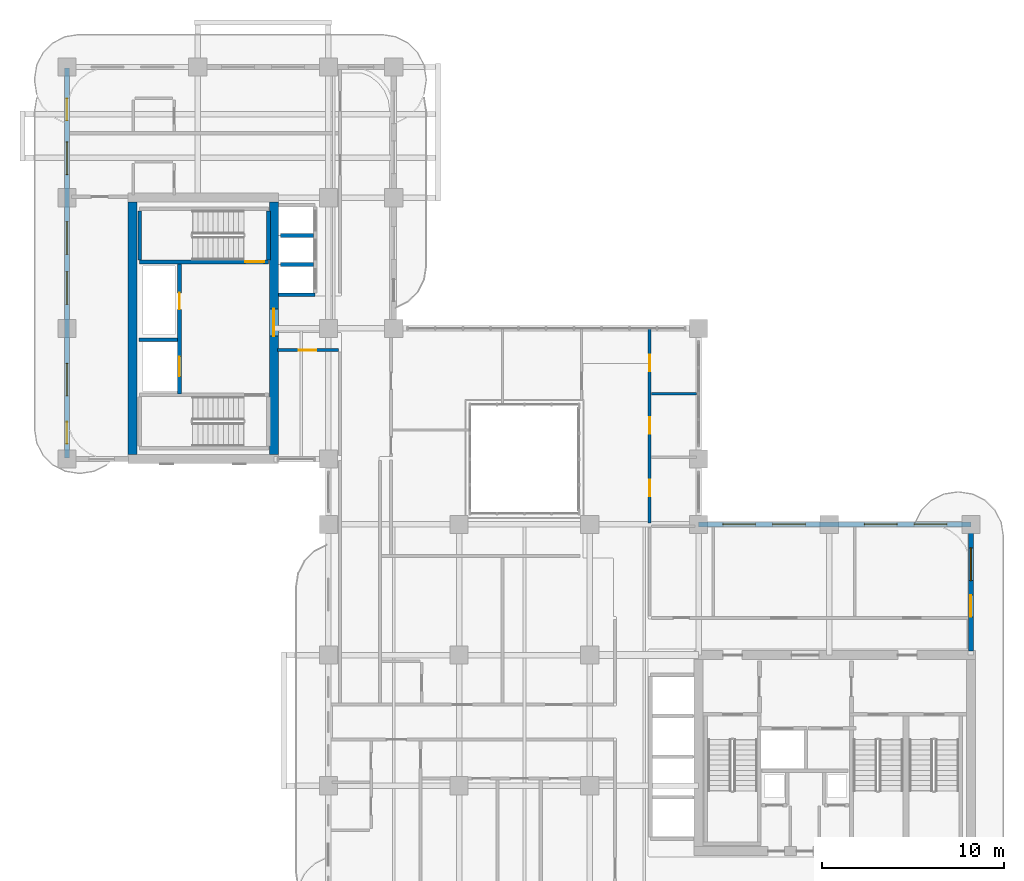
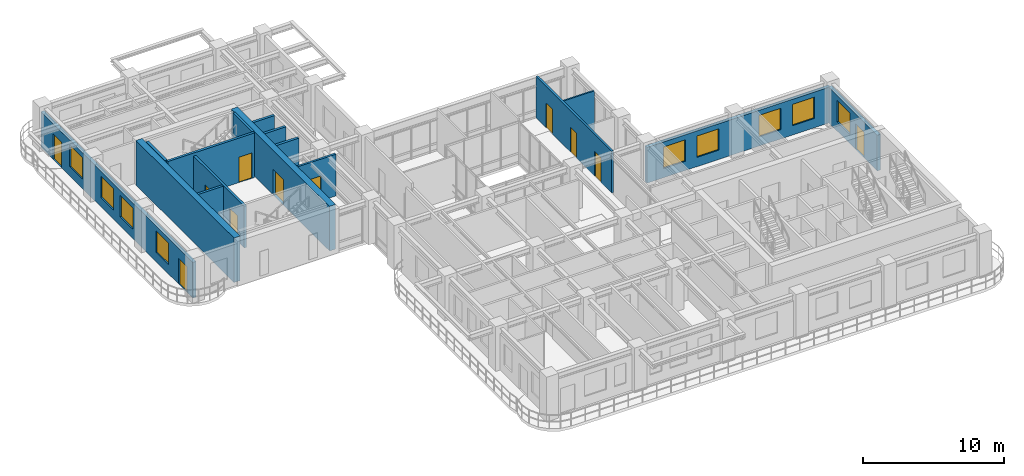
# One storey, part 14 of 20: 16 walls, 11 doors, 9 windows, 20 openings.
"""IFC4 building model written with IfcOpenShell, lengths in metres."""

from ifc_helpers import new_model, si_unit, derived_unit, direction, frame, frame_2d, origin, place, context, subcontext, project, spatial, rectangle, extrude, source, transform, mapped, material, layer, layer_set, type_object, type_shapes, element, fill, save


model = new_model("IFC4")

# Units and contexts
model_context = context("Model", 3, precision=1e-05, world=origin(), true_north=direction((0.0, 1.0)))
body_context = subcontext(model_context, "Body", "Model", "MODEL_VIEW")
ifc_project = project(units=[si_unit("LENGTHUNIT", "METRE"), si_unit("AREAUNIT", "SQUARE_METRE"), si_unit("VOLUMEUNIT", "CUBIC_METRE"), si_unit("PLANEANGLEUNIT", "RADIAN"), si_unit("MASSUNIT", "GRAM", prefix="KILO"), si_unit("THERMODYNAMICTEMPERATUREUNIT", "KELVIN"), si_unit("POWERUNIT", "WATT"), derived_unit("THERMALTRANSMITTANCEUNIT", [(si_unit("POWERUNIT", "WATT"), 1), (si_unit("AREAUNIT", "SQUARE_METRE"), -1), (si_unit("THERMODYNAMICTEMPERATUREUNIT", "KELVIN"), -1)])], contexts=[model_context])

# Site, building, storey
site_placement = place(None, origin())
site = spatial("IfcSite", under=ifc_project, at=site_placement, CompositionType="ELEMENT")
building_placement = place(site_placement, origin())
building = spatial("IfcBuilding", under=site, at=building_placement, Name="Zahravan Archway Hotel and Residences", CompositionType="ELEMENT")
storey_placement = place(building_placement, frame((0.0, 0.0, 173.39990234375)))
storey = spatial("IfcBuildingStorey", under=building, at=storey_placement, Name="L43", CompositionType="ELEMENT", Elevation=173.39990234375)

# Wall
ifc_material_1 = material(Name="Concrete C60/75", Category="concrete")
ifc_layer_1 = layer(ifc_material_1, 0.5, Name="Concrete C60/75", Category="concrete")
ifc_layer_set_1 = layer_set([ifc_layer_1], Name="Concrete C60/75")
wall_type_1 = type_object("IfcWallType", Name="CW-CORE-500", PredefinedType="SHEAR", material=ifc_layer_set_1)
wall_1_placement = place(storey_placement, frame((3.60009765625, 25.449951171875, 0.0), z_axis=(0.0, 0.0, 1.0), x_axis=(0.0, 1.0, 0.0)))
element("IfcWall", 1, at=wall_1_placement, inside=storey, type_object=wall_type_1, Name="L43 Core B Shear W Wall 500 mm", PredefinedType="SHEAR", context=body_context, shape_type="SweptSolid", body=[
    extrude(rectangle(XDim=13.900146484375, YDim=0.5, at=frame_2d((6.9501953125, 0.0))), origin(), (0.0, 0.0, 1.0), 3.85009765625),
])

# Wall, opening, door
wall_2_placement = place(storey_placement, frame((11.39990234375, 25.449951171875, 0.0), z_axis=(0.0, 0.0, 1.0), x_axis=(0.0, 1.0, 0.0)))
wall_2 = element("IfcWall", 2, at=wall_2_placement, inside=storey, type_object=wall_type_1, Name="L43 Core B Shear E Wall 500 mm", PredefinedType="SHEAR", context=body_context, shape_type="SweptSolid", body=[
    extrude(rectangle(XDim=13.900146484375, YDim=0.5, at=frame_2d((6.9501953125, 0.0))), origin(), (0.0, 0.0, 1.0), 3.85009765625),
])
opening_1_placement = place(wall_2_placement, frame((6.52001953125, 0.0, 0.0)))
opening_1 = element("IfcOpeningElement", 3, at=opening_1_placement, cuts=wall_2, Name="Opening FD-L1", PredefinedType="OPENING", context=body_context, shape_type="SweptSolid", body=[
    extrude(rectangle(XDim=1.5, YDim=2.199951171875, at=frame_2d((0.75, 1.10009765625))), frame((0.0, 0.260009765625, 0.0), z_axis=(0.0, -1.0, 0.0), x_axis=(1.0, 0.0, 0.0)), (0.0, 0.0, 1.0), 0.52001953125),
])
ifc_material_2 = material(Name="Fire-Rated Painted Steel", Category="steel")
door_type_1 = type_object("IfcDoorType", Name="FD-LOBBY-1500", OperationType="DOUBLE_DOOR_SINGLE_SWING", PredefinedType="DOOR", material=ifc_material_2)
shared_shape_1 = source(origin(), body_context, "Body", "SweptSolid", [
    extrude(rectangle(XDim=1.5, YDim=2.199951171875, at=frame_2d((0.75, 1.10009765625))), frame((0.0, 0.02490234375, 0.0), z_axis=(0.0, -1.0, 0.0), x_axis=(1.0, 0.0, 0.0)), (0.0, 0.0, 1.0), 0.050048828125),
])
type_shapes(door_type_1, [shared_shape_1])
door_1_placement = place(opening_1_placement, origin())
door_1 = element("IfcDoor", 4, at=door_1_placement, inside=storey, type_object=door_type_1, Name="L43 Core B FSAE Lobby Door", OperationType="DOUBLE_DOOR_SINGLE_SWING", OverallHeight=2.199951171875, OverallWidth=1.5, PredefinedType="DOOR", context=body_context, shape_type="MappedRepresentation", body=[
    mapped(shared_shape_1, transform((0.0, 0.0, 0.0), scale=1.0)),
])
fill(opening_1, door_1)

# Wall, openings, door, window
ifc_material_3 = material(Name="Honed Red-Ochre Sandstone & Insulated Block", Category="masonry")
ifc_layer_2 = layer(ifc_material_3, 0.280029296875, Name="Honed Red-Ochre Sandstone & Insulated Block", Category="masonry")
ifc_layer_set_2 = layer_set([ifc_layer_2], Name="Honed Red-Ochre Sandstone & Insulated Block")
wall_type_2 = type_object("IfcWallType", Name="EW-LOG-280", PredefinedType="SOLIDWALL", material=ifc_layer_set_2)
wall_3_placement = place(storey_placement, frame((49.800048828125, 14.6201171875, 0.0), z_axis=(0.0, 0.0, 1.0), x_axis=(0.0, 1.0, 0.0)))
wall_3 = element("IfcWall", 5, at=wall_3_placement, inside=storey, type_object=wall_type_2, Name="L43 Exterior Sandstone Wall WA-EN", PredefinedType="SOLIDWALL", context=body_context, shape_type="SweptSolid", body=[
    extrude(rectangle(XDim=6.929931640625, YDim=0.280029296875, at=frame_2d((3.46484375, 0.0))), origin(), (0.0, 0.0, 1.0), 3.085205078125),
])
opening_2_placement = place(wall_3_placement, frame((1.888916015625, 0.0, 0.0)))
opening_2 = element("IfcOpeningElement", 6, at=opening_2_placement, cuts=wall_3, Name="Opening ED-BL1", PredefinedType="OPENING", context=body_context, shape_type="SweptSolid", body=[
    extrude(rectangle(XDim=1.199951171875, YDim=2.199951171875, at=frame_2d((0.60009765625, 1.10009765625))), frame((0.0, 0.14990234375, 0.0), z_axis=(0.0, -1.0, 0.0), x_axis=(1.0, 0.0, 0.0)), (0.0, 0.0, 1.0), 0.300048828125),
])
opening_3_placement = place(wall_3_placement, frame((3.884033203125, 0.0, 0.800048828125)))
opening_3 = element("IfcOpeningElement", 7, at=opening_3_placement, cuts=wall_3, Name="Opening W-02", PredefinedType="OPENING", context=body_context, shape_type="SweptSolid", body=[
    extrude(rectangle(XDim=1.800048828125, YDim=1.85009765625, at=frame_2d((0.89990234375, 0.925048828125))), frame((0.0, 0.14990234375, 0.0), z_axis=(0.0, -1.0, 0.0), x_axis=(1.0, 0.0, 0.0)), (0.0, 0.0, 1.0), 0.300048828125),
])
ifc_material_4 = material(Name="Bronze-Anodized Glazed Aluminium", Category="aluminium")
door_type_2 = type_object("IfcDoorType", Name="ED-BALC-1200", OperationType="SLIDING_TO_LEFT", PredefinedType="DOOR", material=ifc_material_4)
shared_shape_2 = source(origin(), body_context, "Body", "SweptSolid", [
    extrude(rectangle(XDim=1.199951171875, YDim=2.199951171875, at=frame_2d((0.60009765625, 1.10009765625))), frame((0.0, 0.02490234375, 0.0), z_axis=(0.0, -1.0, 0.0), x_axis=(1.0, 0.0, 0.0)), (0.0, 0.0, 1.0), 0.050048828125),
])
type_shapes(door_type_2, [shared_shape_2])
door_2_placement = place(opening_2_placement, origin())
door_2 = element("IfcDoor", 8, at=door_2_placement, inside=storey, type_object=door_type_2, Name="L43 Outdoor Access Sliding Door (SLB-BAL-L43-EA)", OperationType="SLIDING_TO_LEFT", OverallHeight=2.199951171875, OverallWidth=1.199951171875, PredefinedType="DOOR", context=body_context, shape_type="MappedRepresentation", body=[
    mapped(shared_shape_2, transform((0.0, 0.0, 0.0), scale=1.0)),
])
fill(opening_2, door_2)
ifc_material_5 = material(Name="Bronze-Anodized Thermal-Break Aluminium & Low-E Glass", Category="aluminium")
window_type = type_object("IfcWindowType", Name="WIN-TWR-1800", PartitioningType="DOUBLE_PANEL_VERTICAL", PredefinedType="WINDOW", material=ifc_material_5)
shared_shape_3 = source(origin(), body_context, "Body", "SweptSolid", [
    extrude(rectangle(XDim=1.800048828125, YDim=1.85009765625, at=frame_2d((0.89990234375, 0.925048828125))), frame((0.0, 0.030029296875, 0.0), z_axis=(0.0, -1.0, 0.0), x_axis=(1.0, 0.0, 0.0)), (0.0, 0.0, 1.0), 0.06005859375),
])
type_shapes(window_type, [shared_shape_3])
window_1_placement = place(opening_3_placement, origin())
window_1 = element("IfcWindow", 9, at=window_1_placement, inside=storey, type_object=window_type, Name="L43 Loggia Window 11", OverallHeight=1.85009765625, OverallWidth=1.800048828125, PartitioningType="DOUBLE_PANEL_VERTICAL", PredefinedType="WINDOW", context=body_context, shape_type="MappedRepresentation", body=[
    mapped(shared_shape_3, transform((0.0, 0.0, 0.0), scale=1.0)),
])
fill(opening_3, window_1)

# Wall, openings, windows
wall_4_placement = place(storey_placement, frame((34.800048828125, 21.60009765625, 0.0), z_axis=(0.0, 0.0, 1.0), x_axis=(1.0, 0.0, 0.0)))
wall_4 = element("IfcWall", 10, at=wall_4_placement, inside=storey, type_object=wall_type_2, Name="L43 Exterior Sandstone Wall WA-NE", PredefinedType="SOLIDWALL", context=body_context, shape_type="SweptSolid", body=[
    extrude(rectangle(XDim=15.0, YDim=0.280029296875, at=frame_2d((7.5, 0.0))), origin(), (0.0, 0.0, 1.0), 3.085205078125),
])
opening_4_placement = place(wall_4_placement, frame((1.3310546875, 0.0, 0.800048828125)))
opening_4 = element("IfcOpeningElement", 11, at=opening_4_placement, cuts=wall_4, Name="Opening W-02", PredefinedType="OPENING", context=body_context, shape_type="SweptSolid", body=[
    extrude(rectangle(XDim=1.800048828125, YDim=1.85009765625, at=frame_2d((0.89990234375, 0.925048828125))), frame((0.0, 0.14990234375, 0.0), z_axis=(0.0, -1.0, 0.0), x_axis=(1.0, 0.0, 0.0)), (0.0, 0.0, 1.0), 0.300048828125),
])
opening_5_placement = place(wall_4_placement, frame((4.076904296875, 0.0, 0.800048828125)))
opening_5 = element("IfcOpeningElement", 12, at=opening_5_placement, cuts=wall_4, Name="Opening W-02", PredefinedType="OPENING", context=body_context, shape_type="SweptSolid", body=[
    extrude(rectangle(XDim=1.800048828125, YDim=1.85009765625, at=frame_2d((0.89990234375, 0.925048828125))), frame((0.0, 0.14990234375, 0.0), z_axis=(0.0, -1.0, 0.0), x_axis=(1.0, 0.0, 0.0)), (0.0, 0.0, 1.0), 0.300048828125),
])
opening_6_placement = place(wall_4_placement, frame((9.131103515625, 0.0, 0.800048828125)))
opening_6 = element("IfcOpeningElement", 13, at=opening_6_placement, cuts=wall_4, Name="Opening W-02", PredefinedType="OPENING", context=body_context, shape_type="SweptSolid", body=[
    extrude(rectangle(XDim=1.800048828125, YDim=1.85009765625, at=frame_2d((0.89990234375, 0.925048828125))), frame((0.0, 0.14990234375, 0.0), z_axis=(0.0, -1.0, 0.0), x_axis=(1.0, 0.0, 0.0)), (0.0, 0.0, 1.0), 0.300048828125),
])
opening_7_placement = place(wall_4_placement, frame((11.876953125, 0.0, 0.800048828125)))
opening_7 = element("IfcOpeningElement", 14, at=opening_7_placement, cuts=wall_4, Name="Opening W-02", PredefinedType="OPENING", context=body_context, shape_type="SweptSolid", body=[
    extrude(rectangle(XDim=1.800048828125, YDim=1.85009765625, at=frame_2d((0.89990234375, 0.925048828125))), frame((0.0, 0.14990234375, 0.0), z_axis=(0.0, -1.0, 0.0), x_axis=(1.0, 0.0, 0.0)), (0.0, 0.0, 1.0), 0.300048828125),
])
window_2_placement = place(opening_4_placement, origin())
window_2 = element("IfcWindow", 15, at=window_2_placement, inside=storey, type_object=window_type, Name="L43 Loggia Window 12", OverallHeight=1.85009765625, OverallWidth=1.800048828125, PartitioningType="DOUBLE_PANEL_VERTICAL", PredefinedType="WINDOW", context=body_context, shape_type="MappedRepresentation", body=[
    mapped(shared_shape_3, transform((0.0, 0.0, 0.0), scale=1.0)),
])
fill(opening_4, window_2)
window_3_placement = place(opening_5_placement, origin())
window_3 = element("IfcWindow", 16, at=window_3_placement, inside=storey, type_object=window_type, Name="L43 Loggia Window 13", OverallHeight=1.85009765625, OverallWidth=1.800048828125, PartitioningType="DOUBLE_PANEL_VERTICAL", PredefinedType="WINDOW", context=body_context, shape_type="MappedRepresentation", body=[
    mapped(shared_shape_3, transform((0.0, 0.0, 0.0), scale=1.0)),
])
fill(opening_5, window_3)
window_4_placement = place(opening_6_placement, origin())
window_4 = element("IfcWindow", 17, at=window_4_placement, inside=storey, type_object=window_type, Name="L43 Loggia Window 14", OverallHeight=1.85009765625, OverallWidth=1.800048828125, PartitioningType="DOUBLE_PANEL_VERTICAL", PredefinedType="WINDOW", context=body_context, shape_type="MappedRepresentation", body=[
    mapped(shared_shape_3, transform((0.0, 0.0, 0.0), scale=1.0)),
])
fill(opening_6, window_4)
window_5_placement = place(opening_7_placement, origin())
window_5 = element("IfcWindow", 18, at=window_5_placement, inside=storey, type_object=window_type, Name="L43 Loggia Window 15", OverallHeight=1.85009765625, OverallWidth=1.800048828125, PartitioningType="DOUBLE_PANEL_VERTICAL", PredefinedType="WINDOW", context=body_context, shape_type="MappedRepresentation", body=[
    mapped(shared_shape_3, transform((0.0, 0.0, 0.0), scale=1.0)),
])
fill(opening_7, window_5)

# Wall, openings, doors, windows
wall_5_placement = place(storey_placement, frame((0.0, 25.25, 0.0), z_axis=(0.0, 0.0, 1.0), x_axis=(0.0, 1.0, 0.0)))
wall_5 = element("IfcWall", 19, at=wall_5_placement, inside=storey, type_object=wall_type_2, Name="L43 Exterior Sandstone Wall WB-W", PredefinedType="SOLIDWALL", context=body_context, shape_type="SweptSolid", body=[
    extrude(rectangle(XDim=21.5, YDim=0.280029296875, at=frame_2d((10.75, 0.0))), origin(), (0.0, 0.0, 1.0), 3.085205078125),
])
opening_8_placement = place(wall_5_placement, frame((18.60693359375, 0.0, 0.0)))
opening_8 = element("IfcOpeningElement", 20, at=opening_8_placement, cuts=wall_5, Name="Opening ED-BL1", PredefinedType="OPENING", context=body_context, shape_type="SweptSolid", body=[
    extrude(rectangle(XDim=1.199951171875, YDim=2.199951171875, at=frame_2d((0.60009765625, 1.10009765625))), frame((0.0, 0.14990234375, 0.0), z_axis=(0.0, -1.0, 0.0), x_axis=(1.0, 0.0, 0.0)), (0.0, 0.0, 1.0), 0.300048828125),
])
opening_9_placement = place(wall_5_placement, frame((0.800048828125, 0.0, 0.0)))
opening_9 = element("IfcOpeningElement", 21, at=opening_9_placement, cuts=wall_5, Name="Opening ED-BL1", PredefinedType="OPENING", context=body_context, shape_type="SweptSolid", body=[
    extrude(rectangle(XDim=1.199951171875, YDim=2.199951171875, at=frame_2d((0.60009765625, 1.10009765625))), frame((0.0, 0.14990234375, 0.0), z_axis=(0.0, -1.0, 0.0), x_axis=(1.0, 0.0, 0.0)), (0.0, 0.0, 1.0), 0.300048828125),
])
opening_10_placement = place(wall_5_placement, frame((3.425048828125, 0.0, 0.800048828125)))
opening_10 = element("IfcOpeningElement", 22, at=opening_10_placement, cuts=wall_5, Name="Opening W-02", PredefinedType="OPENING", context=body_context, shape_type="SweptSolid", body=[
    extrude(rectangle(XDim=1.800048828125, YDim=1.85009765625, at=frame_2d((0.89990234375, 0.925048828125))), frame((0.0, 0.14990234375, 0.0), z_axis=(0.0, -1.0, 0.0), x_axis=(1.0, 0.0, 0.0)), (0.0, 0.0, 1.0), 0.300048828125),
])
opening_11_placement = place(wall_5_placement, frame((8.47509765625, 0.0, 0.800048828125)))
opening_11 = element("IfcOpeningElement", 23, at=opening_11_placement, cuts=wall_5, Name="Opening W-02", PredefinedType="OPENING", context=body_context, shape_type="SweptSolid", body=[
    extrude(rectangle(XDim=1.800048828125, YDim=1.85009765625, at=frame_2d((0.89990234375, 0.925048828125))), frame((0.0, 0.14990234375, 0.0), z_axis=(0.0, -1.0, 0.0), x_axis=(1.0, 0.0, 0.0)), (0.0, 0.0, 1.0), 0.300048828125),
])
opening_12_placement = place(wall_5_placement, frame((11.22509765625, 0.0, 0.800048828125)))
opening_12 = element("IfcOpeningElement", 24, at=opening_12_placement, cuts=wall_5, Name="Opening W-02", PredefinedType="OPENING", context=body_context, shape_type="SweptSolid", body=[
    extrude(rectangle(XDim=1.800048828125, YDim=1.85009765625, at=frame_2d((0.89990234375, 0.925048828125))), frame((0.0, 0.14990234375, 0.0), z_axis=(0.0, -1.0, 0.0), x_axis=(1.0, 0.0, 0.0)), (0.0, 0.0, 1.0), 0.300048828125),
])
opening_13_placement = place(wall_5_placement, frame((15.62109375, 0.0, 0.800048828125)))
opening_13 = element("IfcOpeningElement", 25, at=opening_13_placement, cuts=wall_5, Name="Opening W-02", PredefinedType="OPENING", context=body_context, shape_type="SweptSolid", body=[
    extrude(rectangle(XDim=1.800048828125, YDim=1.85009765625, at=frame_2d((0.89990234375, 0.925048828125))), frame((0.0, 0.14990234375, 0.0), z_axis=(0.0, -1.0, 0.0), x_axis=(1.0, 0.0, 0.0)), (0.0, 0.0, 1.0), 0.300048828125),
])
door_3_placement = place(opening_8_placement, origin())
door_3 = element("IfcDoor", 26, at=door_3_placement, inside=storey, type_object=door_type_2, Name="L43 Outdoor Access Sliding Door (SLB-BAL-L43-NB)", OperationType="SLIDING_TO_LEFT", OverallHeight=2.199951171875, OverallWidth=1.199951171875, PredefinedType="DOOR", context=body_context, shape_type="MappedRepresentation", body=[
    mapped(shared_shape_2, transform((0.0, 0.0, 0.0), scale=1.0)),
])
fill(opening_8, door_3)
door_4_placement = place(opening_9_placement, origin())
door_4 = element("IfcDoor", 27, at=door_4_placement, inside=storey, type_object=door_type_2, Name="L43 Outdoor Access Sliding Door (SLB-BAL-L43-WB)", OperationType="SLIDING_TO_LEFT", OverallHeight=2.199951171875, OverallWidth=1.199951171875, PredefinedType="DOOR", context=body_context, shape_type="MappedRepresentation", body=[
    mapped(shared_shape_2, transform((0.0, 0.0, 0.0), scale=1.0)),
])
fill(opening_9, door_4)
window_6_placement = place(opening_10_placement, origin())
window_6 = element("IfcWindow", 28, at=window_6_placement, inside=storey, type_object=window_type, Name="L43 Loggia Window 23", OverallHeight=1.85009765625, OverallWidth=1.800048828125, PartitioningType="DOUBLE_PANEL_VERTICAL", PredefinedType="WINDOW", context=body_context, shape_type="MappedRepresentation", body=[
    mapped(shared_shape_3, transform((0.0, 0.0, 0.0), scale=1.0)),
])
fill(opening_10, window_6)
window_7_placement = place(opening_11_placement, origin())
window_7 = element("IfcWindow", 29, at=window_7_placement, inside=storey, type_object=window_type, Name="L43 Loggia Window 24", OverallHeight=1.85009765625, OverallWidth=1.800048828125, PartitioningType="DOUBLE_PANEL_VERTICAL", PredefinedType="WINDOW", context=body_context, shape_type="MappedRepresentation", body=[
    mapped(shared_shape_3, transform((0.0, 0.0, 0.0), scale=1.0)),
])
fill(opening_11, window_7)
window_8_placement = place(opening_12_placement, origin())
window_8 = element("IfcWindow", 30, at=window_8_placement, inside=storey, type_object=window_type, Name="L43 Loggia Window 25", OverallHeight=1.85009765625, OverallWidth=1.800048828125, PartitioningType="DOUBLE_PANEL_VERTICAL", PredefinedType="WINDOW", context=body_context, shape_type="MappedRepresentation", body=[
    mapped(shared_shape_3, transform((0.0, 0.0, 0.0), scale=1.0)),
])
fill(opening_12, window_8)
window_9_placement = place(opening_13_placement, origin())
window_9 = element("IfcWindow", 31, at=window_9_placement, inside=storey, type_object=window_type, Name="L43 Loggia Window 26", OverallHeight=1.85009765625, OverallWidth=1.800048828125, PartitioningType="DOUBLE_PANEL_VERTICAL", PredefinedType="WINDOW", context=body_context, shape_type="MappedRepresentation", body=[
    mapped(shared_shape_3, transform((0.0, 0.0, 0.0), scale=1.0)),
])
fill(opening_13, window_9)

# Wall
ifc_material_6 = material(Name="Acoustic Stud Partition")
ifc_layer_3 = layer(ifc_material_6, 0.125, Name="Acoustic Stud Partition")
ifc_layer_set_3 = layer_set([ifc_layer_3], Name="Acoustic Stud Partition")
wall_type_3 = type_object("IfcWallType", Name="PW-INT-125", PredefinedType="PARTITIONING", material=ifc_layer_set_3)
wall_6_placement = place(storey_placement, frame((32.18994140625, 28.800048828125, 0.0), z_axis=(0.0, 0.0, 1.0), x_axis=(1.0, 0.0, 0.0)))
element("IfcWall", 32, at=wall_6_placement, inside=storey, type_object=wall_type_3, Name="L43 Partition ATR-EM3B", PredefinedType="PARTITIONING", context=body_context, shape_type="SweptSolid", body=[
    extrude(rectangle(XDim=2.5, YDim=0.125, at=frame_2d((1.25, 0.0))), origin(), (0.0, 0.0, 1.0), 3.60009765625),
])

# Wall, openings, doors
ifc_material_7 = material(Name="Fire-Rated Gypsum & Concrete Block", Category="concrete")
ifc_layer_4 = layer(ifc_material_7, 0.199951171875, Name="Fire-Rated Gypsum & Concrete Block", Category="concrete")
ifc_layer_set_4 = layer_set([ifc_layer_4], Name="Fire-Rated Gypsum & Concrete Block")
wall_type_4 = type_object("IfcWallType", Name="PW-SHAFT-200", PredefinedType="PARTITIONING", material=ifc_layer_set_4)
wall_7_placement = place(storey_placement, frame((6.199951171875, 28.7900390625, 0.0), z_axis=(0.0, 0.0, 1.0), x_axis=(0.0, 1.0, 0.0)))
wall_7 = element("IfcWall", 33, at=wall_7_placement, inside=storey, type_object=wall_type_4, Name="L43 Partition CB-FL3E", PredefinedType="PARTITIONING", context=body_context, shape_type="SweptSolid", body=[
    extrude(rectangle(XDim=7.219970703125, YDim=0.199951171875, at=frame_2d((3.60986328125, 0.0))), origin(), (0.0, 0.0, 1.0), 3.60009765625),
])
opening_14_placement = place(wall_7_placement, frame((4.659912109375, 0.0, 0.0)))
opening_14 = element("IfcOpeningElement", 34, at=opening_14_placement, cuts=wall_7, Name="Opening FD-R1", PredefinedType="OPENING", context=body_context, shape_type="SweptSolid", body=[
    extrude(rectangle(XDim=0.89990234375, YDim=2.10009765625, at=frame_2d((0.449951171875, 1.050048828125))), frame((0.0, 0.10986328125, 0.0), z_axis=(0.0, -1.0, 0.0), x_axis=(1.0, 0.0, 0.0)), (0.0, 0.0, 1.0), 0.219970703125),
])
opening_15_placement = place(wall_7_placement, frame((0.9599609375, 0.0, 0.0)))
opening_15 = element("IfcOpeningElement", 35, at=opening_15_placement, cuts=wall_7, Name="Opening LD", PredefinedType="OPENING", context=body_context, shape_type="SweptSolid", body=[
    extrude(rectangle(XDim=1.10009765625, YDim=2.199951171875, at=frame_2d((0.550048828125, 1.10009765625))), frame((0.0, 0.10986328125, 0.0), z_axis=(0.0, -1.0, 0.0), x_axis=(1.0, 0.0, 0.0)), (0.0, 0.0, 1.0), 0.219970703125),
])
door_type_3 = type_object("IfcDoorType", Name="FD-RISER-900", OperationType="NOTDEFINED", PredefinedType="DOOR", material=ifc_material_2)
shared_shape_4 = source(origin(), body_context, "Body", "SweptSolid", [
    extrude(rectangle(XDim=0.89990234375, YDim=2.10009765625, at=frame_2d((0.449951171875, 1.050048828125))), frame((0.0, 0.02490234375, 0.0), z_axis=(0.0, -1.0, 0.0), x_axis=(1.0, 0.0, 0.0)), (0.0, 0.0, 1.0), 0.050048828125),
])
type_shapes(door_type_3, [shared_shape_4])
door_5_placement = place(opening_14_placement, origin())
door_5 = element("IfcDoor", 36, at=door_5_placement, inside=storey, type_object=door_type_3, Name="L43 Core B Riser Door", OperationType="SINGLE_SWING_RIGHT", OverallHeight=2.10009765625, OverallWidth=0.89990234375, PredefinedType="DOOR", context=body_context, shape_type="MappedRepresentation", body=[
    mapped(shared_shape_4, transform((0.0, 0.0, 0.0), scale=1.0)),
])
fill(opening_14, door_5)
ifc_material_8 = material(Name="Brushed Stainless Steel", Category="steel")
door_type_4 = type_object("IfcDoorType", Name="DR-LIFT-LD", OperationType="SLIDING_TO_LEFT", PredefinedType="DOOR", material=ifc_material_8)
shared_shape_5 = source(origin(), body_context, "Body", "SweptSolid", [
    extrude(rectangle(XDim=1.10009765625, YDim=2.199951171875, at=frame_2d((0.550048828125, 1.10009765625))), frame((0.0, 0.02490234375, 0.0), z_axis=(0.0, -1.0, 0.0), x_axis=(1.0, 0.0, 0.0)), (0.0, 0.0, 1.0), 0.050048828125),
])
type_shapes(door_type_4, [shared_shape_5])
door_6_placement = place(opening_15_placement, origin())
door_6 = element("IfcDoor", 37, at=door_6_placement, inside=storey, type_object=door_type_4, Name="L43 Lift FL-3 Sliding Landing Door", OperationType="SLIDING_TO_LEFT", OverallHeight=2.199951171875, OverallWidth=1.10009765625, PredefinedType="DOOR", context=body_context, shape_type="MappedRepresentation", body=[
    mapped(shared_shape_5, transform((0.0, 0.0, 0.0), scale=1.0)),
])
fill(opening_15, door_6)

# Walls
wall_8_placement = place(storey_placement, frame((3.9599609375, 31.780029296875, 0.0), z_axis=(0.0, 0.0, 1.0), x_axis=(1.0, 0.0, 0.0)))
element("IfcWall", 38, at=wall_8_placement, inside=storey, type_object=wall_type_4, Name="L43 Partition CB-FL3N", PredefinedType="PARTITIONING", context=body_context, shape_type="SweptSolid", body=[
    extrude(rectangle(XDim=2.130126953125, YDim=0.199951171875, at=frame_2d((1.06494140625, 0.0))), origin(), (0.0, 0.0, 1.0), 3.60009765625),
])
wall_9_placement = place(storey_placement, frame((11.659912109375, 34.25, 0.0), z_axis=(0.0, 0.0, 1.0), x_axis=(1.0, 0.0, 0.0)))
element("IfcWall", 39, at=wall_9_placement, inside=storey, type_object=wall_type_4, Name="L43 Partition B2-S", PredefinedType="PARTITIONING", context=body_context, shape_type="SweptSolid", body=[
    extrude(rectangle(XDim=2.010009765625, YDim=0.199951171875, at=frame_2d((1.0048828125, 0.0))), origin(), (0.0, 0.0, 1.0), 3.60009765625),
])
for number, where, z_axis, x_axis, name in (
    (40, (11.760009765625, 35.919921875, 0.0), (0.0, 0.0, 1.0), (1.0, 0.0, 0.0), "L43 Partition B2-D"),
    (41, (11.760009765625, 37.52001953125, 0.0), (0.0, 0.0, 1.0), (1.0, 0.0, 0.0), "L43 Partition B2-D"),
):
    element("IfcWall", number, at=place(storey_placement, frame(where, z_axis=z_axis, x_axis=x_axis)), inside=storey, type_object=wall_type_4, Name=name, PredefinedType="PARTITIONING", context=body_context, shape_type="SweptSolid", body=[
        extrude(rectangle(XDim=1.81005859375, YDim=0.199951171875, at=frame_2d((0.905029296875, 0.0))), origin(), (0.0, 0.0, 1.0), 3.60009765625),
    ])

# Wall, opening, door
ifc_layer_5 = layer(ifc_material_6, 0.169921875, Name="Acoustic Stud Partition")
ifc_layer_set_5 = layer_set([ifc_layer_5], Name="Acoustic Stud Partition")
wall_type_5 = type_object("IfcWallType", Name="PW-UNIT-170", PredefinedType="PARTITIONING", material=ifc_layer_set_5)
wall_10_placement = place(storey_placement, frame((11.590087890625, 31.199951171875, 0.0), z_axis=(0.0, 0.0, 1.0), x_axis=(1.0, 0.0, 0.0)))
wall_10 = element("IfcWall", 42, at=wall_10_placement, inside=storey, type_object=wall_type_5, Name="L43 Partition FB1-N", PredefinedType="PARTITIONING", context=body_context, shape_type="SweptSolid", body=[
    extrude(rectangle(XDim=3.369873046875, YDim=0.169921875, at=frame_2d((1.68505859375, 0.0))), origin(), (0.0, 0.0, 1.0), 3.60009765625),
])
opening_16_placement = place(wall_10_placement, frame((1.18505859375, 0.0, 0.0)))
opening_16 = element("IfcOpeningElement", 43, at=opening_16_placement, cuts=wall_10, Name="Opening D-I1", PredefinedType="OPENING", context=body_context, shape_type="SweptSolid", body=[
    extrude(rectangle(XDim=0.949951171875, YDim=2.14990234375, at=frame_2d((0.47509765625, 1.074951171875))), frame((0.0, 0.094970703125, 0.0), z_axis=(0.0, -1.0, 0.0), x_axis=(1.0, 0.0, 0.0)), (0.0, 0.0, 1.0), 0.18994140625),
])
ifc_material_9 = material(Name="Hardwood Veneer Timber", Category="wood")
door_type_5 = type_object("IfcDoorType", Name="ID-INT-950", OperationType="NOTDEFINED", PredefinedType="DOOR", material=ifc_material_9)
shared_shape_6 = source(origin(), body_context, "Body", "SweptSolid", [
    extrude(rectangle(XDim=0.949951171875, YDim=2.14990234375, at=frame_2d((0.47509765625, 1.074951171875))), frame((0.0, 0.02490234375, 0.0), z_axis=(0.0, -1.0, 0.0), x_axis=(1.0, 0.0, 0.0)), (0.0, 0.0, 1.0), 0.050048828125),
])
type_shapes(door_type_5, [shared_shape_6])
door_7_placement = place(opening_16_placement, origin())
door_7 = element("IfcDoor", 44, at=door_7_placement, inside=storey, type_object=door_type_5, Name="L43 Freed Bank 1 Reading Salon Door", OperationType="SINGLE_SWING_LEFT", OverallHeight=2.14990234375, OverallWidth=0.949951171875, PredefinedType="DOOR", context=body_context, shape_type="MappedRepresentation", body=[
    mapped(shared_shape_6, transform((0.0, 0.0, 0.0), scale=1.0)),
])
fill(opening_16, door_7)

# Wall, openings, doors
wall_11_placement = place(storey_placement, frame((32.10009765625, 21.669921875, 0.0), z_axis=(0.0, 0.0, 1.0), x_axis=(0.0, 1.0, 0.0)))
wall_11 = element("IfcWall", 45, at=wall_11_placement, inside=storey, type_object=wall_type_5, Name="L43 Partition ATR-E", PredefinedType="PARTITIONING", context=body_context, shape_type="SweptSolid", body=[
    extrude(rectangle(XDim=10.7021484375, YDim=0.169921875, at=frame_2d((5.35107421875, 0.0))), origin(), (0.0, 0.0, 1.0), 3.60009765625),
])
opening_17_placement = place(wall_11_placement, frame((1.47998046875, 0.0, 0.0)))
opening_17 = element("IfcOpeningElement", 46, at=opening_17_placement, cuts=wall_11, Name="Opening D-I2", PredefinedType="OPENING", context=body_context, shape_type="SweptSolid", body=[
    extrude(rectangle(XDim=0.89990234375, YDim=2.14990234375, at=frame_2d((0.449951171875, 1.074951171875))), frame((0.0, 0.094970703125, 0.0), z_axis=(0.0, -1.0, 0.0), x_axis=(1.0, 0.0, 0.0)), (0.0, 0.0, 1.0), 0.18994140625),
])
opening_18_placement = place(wall_11_placement, frame((4.929931640625, 0.0, 0.0)))
opening_18 = element("IfcOpeningElement", 47, at=opening_18_placement, cuts=wall_11, Name="Opening D-I2", PredefinedType="OPENING", context=body_context, shape_type="SweptSolid", body=[
    extrude(rectangle(XDim=0.89990234375, YDim=2.14990234375, at=frame_2d((0.449951171875, 1.074951171875))), frame((0.0, 0.094970703125, 0.0), z_axis=(0.0, -1.0, 0.0), x_axis=(1.0, 0.0, 0.0)), (0.0, 0.0, 1.0), 0.18994140625),
])
opening_19_placement = place(wall_11_placement, frame((8.3798828125, 0.0, 0.0)))
opening_19 = element("IfcOpeningElement", 48, at=opening_19_placement, cuts=wall_11, Name="Opening D-I2", PredefinedType="OPENING", context=body_context, shape_type="SweptSolid", body=[
    extrude(rectangle(XDim=0.89990234375, YDim=2.14990234375, at=frame_2d((0.449951171875, 1.074951171875))), frame((0.0, 0.094970703125, 0.0), z_axis=(0.0, -1.0, 0.0), x_axis=(1.0, 0.0, 0.0)), (0.0, 0.0, 1.0), 0.18994140625),
])
door_type_6 = type_object("IfcDoorType", Name="ID-INT-900", OperationType="NOTDEFINED", PredefinedType="DOOR", material=ifc_material_9)
shared_shape_7 = source(origin(), body_context, "Body", "SweptSolid", [
    extrude(rectangle(XDim=0.89990234375, YDim=2.14990234375, at=frame_2d((0.449951171875, 1.074951171875))), frame((0.0, 0.02490234375, 0.0), z_axis=(0.0, -1.0, 0.0), x_axis=(1.0, 0.0, 0.0)), (0.0, 0.0, 1.0), 0.050048828125),
])
type_shapes(door_type_6, [shared_shape_7])
door_8_placement = place(opening_17_placement, origin())
door_8 = element("IfcDoor", 49, at=door_8_placement, inside=storey, type_object=door_type_6, Name="L43 Atrium Pantry Door", OperationType="SINGLE_SWING_LEFT", OverallHeight=2.14990234375, OverallWidth=0.89990234375, PredefinedType="DOOR", context=body_context, shape_type="MappedRepresentation", body=[
    mapped(shared_shape_7, transform((0.0, 0.0, 0.0), scale=1.0)),
])
fill(opening_17, door_8)
door_9_placement = place(opening_18_placement, origin())
door_9 = element("IfcDoor", 50, at=door_9_placement, inside=storey, type_object=door_type_6, Name="L43 Atrium Study Door", OperationType="SINGLE_SWING_RIGHT", OverallHeight=2.14990234375, OverallWidth=0.89990234375, PredefinedType="DOOR", context=body_context, shape_type="MappedRepresentation", body=[
    mapped(shared_shape_7, transform((0.0, 0.0, 0.0), scale=1.0)),
])
fill(opening_18, door_9)
door_10_placement = place(opening_19_placement, origin())
door_10 = element("IfcDoor", 51, at=door_10_placement, inside=storey, type_object=door_type_6, Name="L43 Atrium Clinic Door", OperationType="SINGLE_SWING_LEFT", OverallHeight=2.14990234375, OverallWidth=0.89990234375, PredefinedType="DOOR", context=body_context, shape_type="MappedRepresentation", body=[
    mapped(shared_shape_7, transform((0.0, 0.0, 0.0), scale=1.0)),
])
fill(opening_19, door_10)

# Walls
ifc_material_10 = material(Name="Concrete C50/60", Category="concrete")
ifc_layer_6 = layer(ifc_material_10, 0.199951171875, Name="Concrete C50/60", Category="concrete")
ifc_layer_set_6 = layer_set([ifc_layer_6], Name="Concrete C50/60")
wall_type_6 = type_object("IfcWallType", Name="SW-STAIR-200", PredefinedType="SHEAR", material=ifc_layer_set_6)
for number, where, z_axis, x_axis, name in (
    (52, (4.0, 36.179931640625, 0.0), (0.0, 0.0, 1.0), (0.0, 1.0, 0.0), "L43 Stairwell RC Wall CB-SB2W"),
    (53, (11.10009765625, 36.179931640625, 0.0), (0.0, 0.0, 1.0), (0.0, 1.0, 0.0), "L43 Stairwell RC Wall CB-SB2E"),
):
    element("IfcWall", number, at=place(storey_placement, frame(where, z_axis=z_axis, x_axis=x_axis)), inside=storey, type_object=wall_type_6, Name=name, PredefinedType="SHEAR", context=body_context, shape_type="SweptSolid", body=[
        extrude(rectangle(XDim=2.699951171875, YDim=0.199951171875, at=frame_2d((1.35009765625, 0.0))), origin(), (0.0, 0.0, 1.0), 3.85009765625),
    ])

# Wall, opening, door
wall_12_placement = place(storey_placement, frame((4.0, 36.06005859375, 0.0), z_axis=(0.0, 0.0, 1.0), x_axis=(1.0, 0.0, 0.0)))
wall_12 = element("IfcWall", 54, at=wall_12_placement, inside=storey, type_object=wall_type_6, Name="L43 Stairwell RC Wall CB-SB2S", PredefinedType="SHEAR", context=body_context, shape_type="SweptSolid", body=[
    extrude(rectangle(XDim=7.10009765625, YDim=0.199951171875, at=frame_2d((3.550048828125, 0.0))), origin(), (0.0, 0.0, 1.0), 3.85009765625),
])
opening_20_placement = place(wall_12_placement, frame((5.81494140625, 0.0, 0.0)))
opening_20 = element("IfcOpeningElement", 55, at=opening_20_placement, cuts=wall_12, Name="Opening FD-S1", PredefinedType="OPENING", context=body_context, shape_type="SweptSolid", body=[
    extrude(rectangle(XDim=1.050048828125, YDim=2.199951171875, at=frame_2d((0.52490234375, 1.10009765625))), frame((0.0, 0.10986328125, 0.0), z_axis=(0.0, -1.0, 0.0), x_axis=(1.0, 0.0, 0.0)), (0.0, 0.0, 1.0), 0.219970703125),
])
door_type_7 = type_object("IfcDoorType", Name="FD-STAIR-1100", OperationType="NOTDEFINED", PredefinedType="DOOR", material=ifc_material_2)
shared_shape_8 = source(origin(), body_context, "Body", "SweptSolid", [
    extrude(rectangle(XDim=1.050048828125, YDim=2.199951171875, at=frame_2d((0.52490234375, 1.10009765625))), frame((0.0, 0.02490234375, 0.0), z_axis=(0.0, -1.0, 0.0), x_axis=(1.0, 0.0, 0.0)), (0.0, 0.0, 1.0), 0.050048828125),
])
type_shapes(door_type_7, [shared_shape_8])
door_11_placement = place(opening_20_placement, origin())
door_11 = element("IfcDoor", 56, at=door_11_placement, inside=storey, type_object=door_type_7, Name="L43 Stair ST-B2 Door", OperationType="SINGLE_SWING_LEFT", OverallHeight=2.199951171875, OverallWidth=1.050048828125, PredefinedType="DOOR", context=body_context, shape_type="MappedRepresentation", body=[
    mapped(shared_shape_8, transform((0.0, 0.0, 0.0), scale=1.0)),
])
fill(opening_20, door_11)

save(model, "model.ifc")
